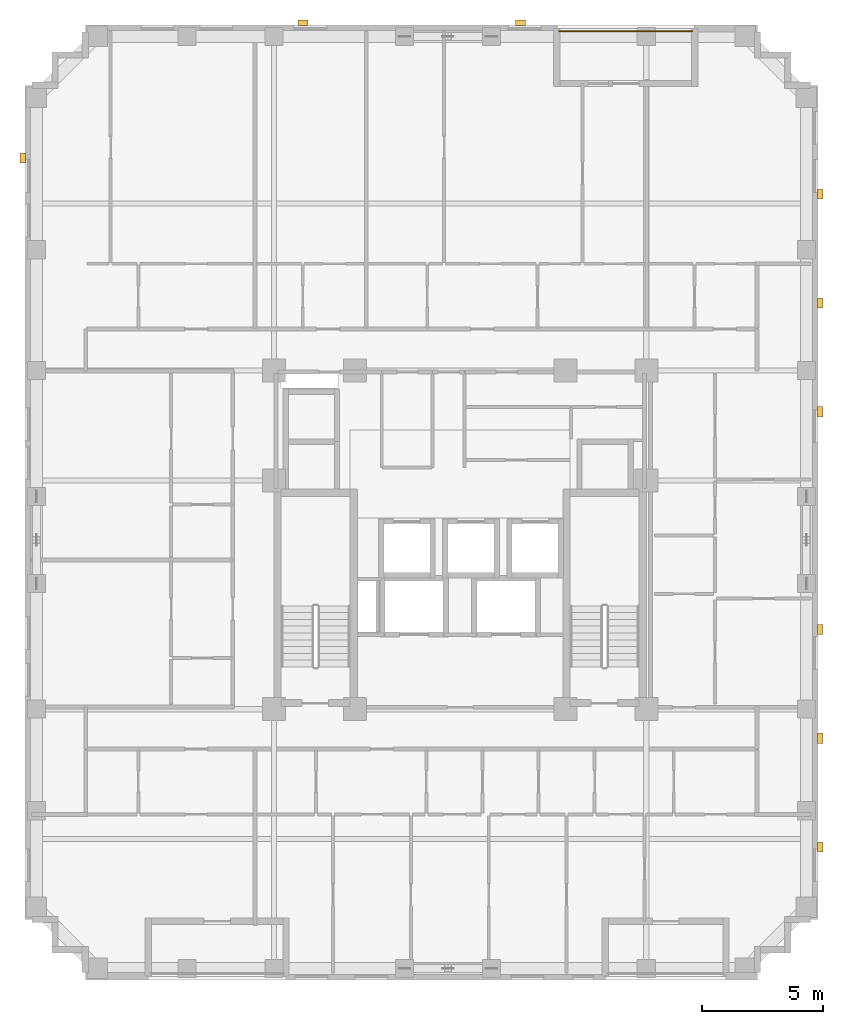
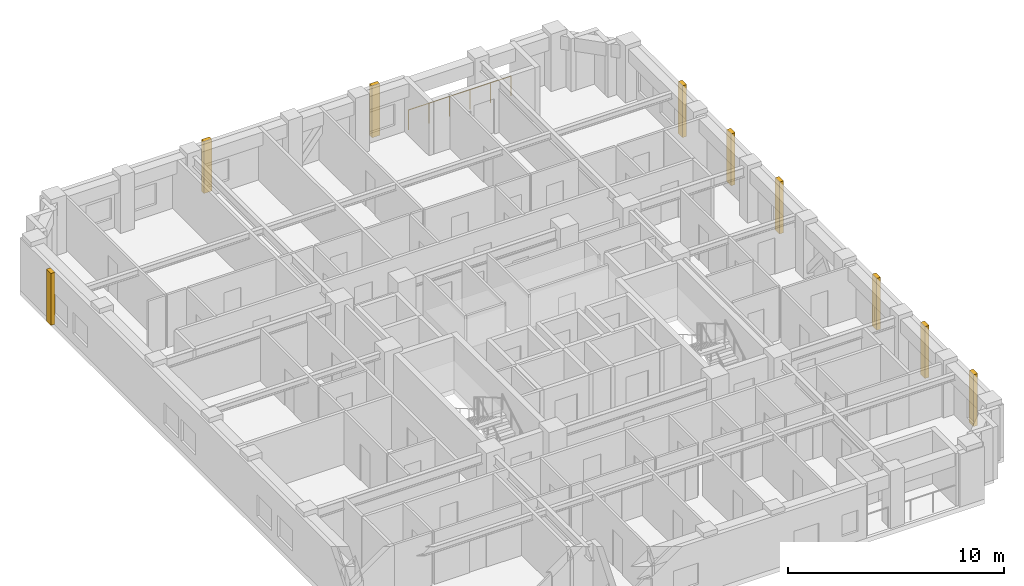
# One storey, part 11 of 11: 9 coverings, 1 railing.
"""IFC4 building model written with IfcOpenShell, lengths in metres."""

from ifc_helpers import new_model, si_unit, derived_unit, direction, frame, origin, origin_2d, place, context, subcontext, project, spatial, rectangle, circle, extrude, material, layer, layer_set, type_object, element, save


model = new_model("IFC4")

# Units and contexts
model_context = context("Model", 3, precision=1e-05, world=origin(), true_north=direction((0.0, 1.0)))
body_context = subcontext(model_context, "Body", "Model", "MODEL_VIEW")
ifc_project = project(units=[si_unit("LENGTHUNIT", "METRE"), si_unit("AREAUNIT", "SQUARE_METRE"), si_unit("VOLUMEUNIT", "CUBIC_METRE"), si_unit("PLANEANGLEUNIT", "RADIAN"), si_unit("MASSUNIT", "GRAM", prefix="KILO"), derived_unit("THERMALTRANSMITTANCEUNIT", [(si_unit("MASSUNIT", "GRAM", prefix="KILO"), 1), (si_unit("TIMEUNIT", "SECOND"), -3), (si_unit("THERMODYNAMICTEMPERATUREUNIT", "KELVIN"), -1)])], contexts=[model_context])

# Site, building, storey
site_placement = place(None, origin())
site = spatial("IfcSite", under=ifc_project, at=site_placement, CompositionType="ELEMENT")
building_placement = place(site_placement, origin())
building = spatial("IfcBuilding", under=site, at=building_placement, Name="Korrvale Station Residences", CompositionType="ELEMENT")
storey_placement = place(building_placement, frame((0.0, 0.0, 140.64990234375)))
storey = spatial("IfcBuildingStorey", under=building, at=storey_placement, Name="L40", CompositionType="ELEMENT", Elevation=140.64990234375)

# Coverings
ifc_material_1 = material(Name="Architectural precast concrete C45/55", Category="concrete")
ifc_layer = layer(ifc_material_1, 0.219970703125, Name="Architectural precast concrete C45/55")
ifc_layer_set = layer_set([ifc_layer], Name="Architectural precast concrete C45/55")
covering_type = type_object("IfcCoveringType", Name="COV-PIER-400", PredefinedType="CLADDING", material=ifc_layer_set)
for number, where, z_axis, x_axis, name in (
    (1, (19.0, 43.389892578125, 0.025146484375), (0.0, 0.0, 1.0), (1.0, 0.0, 0.0), "L40 Architectural Precast Facade Pier 01"),
    (2, (28.0, 43.389892578125, 0.025146484375), (0.0, 0.0, 1.0), (1.0, 0.0, 0.0), "L40 Architectural Precast Facade Pier 02"),
    (3, (7.409912109375, 37.800048828125, 0.025146484375), (0.0, 0.0, 1.0), (0.0, 1.0, 0.0), "L40 Architectural Precast Facade Pier 03"),
    (4, (40.389892578125, 36.300048828125, 0.025146484375), (0.0, 0.0, 1.0), (0.0, 1.0, 0.0), "L40 Architectural Precast Facade Pier 04"),
    (5, (40.389892578125, 31.800048828125, 0.025146484375), (0.0, 0.0, 1.0), (0.0, 1.0, 0.0), "L40 Architectural Precast Facade Pier 05"),
    (6, (40.389892578125, 27.300048828125, 0.025146484375), (0.0, 0.0, 1.0), (0.0, 1.0, 0.0), "L40 Architectural Precast Facade Pier 06"),
    (7, (40.389892578125, 18.300048828125, 0.025146484375), (0.0, 0.0, 1.0), (0.0, 1.0, 0.0), "L40 Architectural Precast Facade Pier 07"),
    (8, (40.389892578125, 13.800048828125, 0.025146484375), (0.0, 0.0, 1.0), (0.0, 1.0, 0.0), "L40 Architectural Precast Facade Pier 08"),
    (9, (40.389892578125, 9.300048828125, 0.025146484375), (0.0, 0.0, 1.0), (0.0, 1.0, 0.0), "L40 Architectural Precast Facade Pier 09"),
):
    element("IfcCovering", number, at=place(storey_placement, frame(where, z_axis=z_axis, x_axis=x_axis)), inside=storey, type_object=covering_type, Name=name, PredefinedType="CLADDING", context=body_context, shape_type="SweptSolid", body=[
        extrude(rectangle(XDim=0.419921875, YDim=0.219970703125, at=origin_2d()), origin(), (0.0, 0.0, 1.0), 2.93994140625),
    ])

# Railing
ifc_material_2 = material(Name="Powder-coated aluminium picket loggia guard", Category="aluminium")
railing_type = type_object("IfcRailingType", Name="RLG-BAL-1150", PredefinedType="GUARDRAIL", material=ifc_material_2)
railing_placement = place(storey_placement, frame((29.60009765625, 43.030029296875, 0.0)))
element("IfcRailing", 10, at=railing_placement, inside=storey, type_object=railing_type, Name="L40 Recessed Loggia Guardrail BAL-L40-N1", PredefinedType="GUARDRAIL", context=body_context, shape_type="SweptSolid", body=[
    extrude(circle(Radius=0.02392578125, at=origin_2d()), frame((0.0, 0.0, 1.1259765625), z_axis=(1.0, 0.0, 0.0), x_axis=(0.0, 1.0, 0.0)), (0.0, 0.0, 1.0), 5.5),
    extrude(circle(Radius=0.02099609375, at=origin_2d()), origin(), (0.0, 0.0, 1.0), 1.101806640625),
    extrude(circle(Radius=0.02099609375, at=origin_2d()), frame((1.10009765625, 0.0, 0.0)), (0.0, 0.0, 1.0), 1.101806640625),
    extrude(circle(Radius=0.02099609375, at=origin_2d()), frame((2.199951171875, 0.0, 0.0)), (0.0, 0.0, 1.0), 1.101806640625),
    extrude(circle(Radius=0.02099609375, at=origin_2d()), frame((3.300048828125, 0.0, 0.0)), (0.0, 0.0, 1.0), 1.101806640625),
    extrude(circle(Radius=0.02099609375, at=origin_2d()), frame((4.39990234375, 0.0, 0.0)), (0.0, 0.0, 1.0), 1.101806640625),
    extrude(circle(Radius=0.02099609375, at=origin_2d()), frame((5.5, 0.0, 0.0)), (0.0, 0.0, 1.0), 1.101806640625),
])

save(model, "model.ifc")
